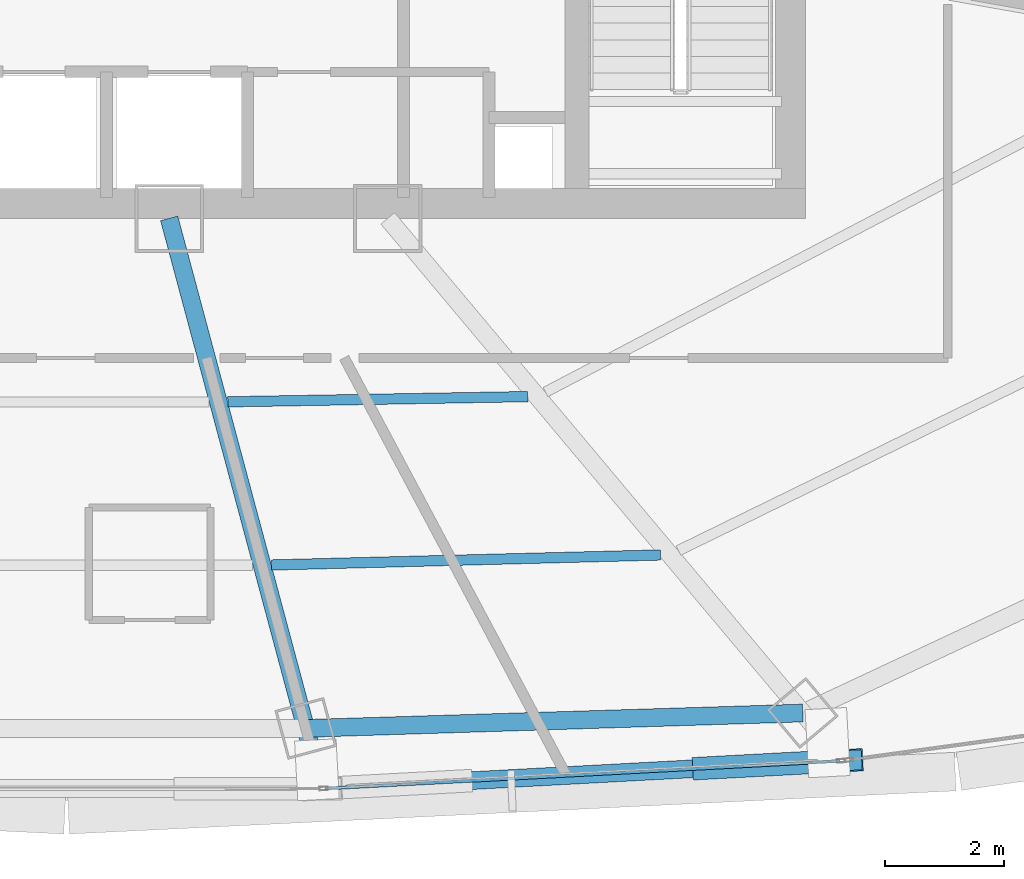
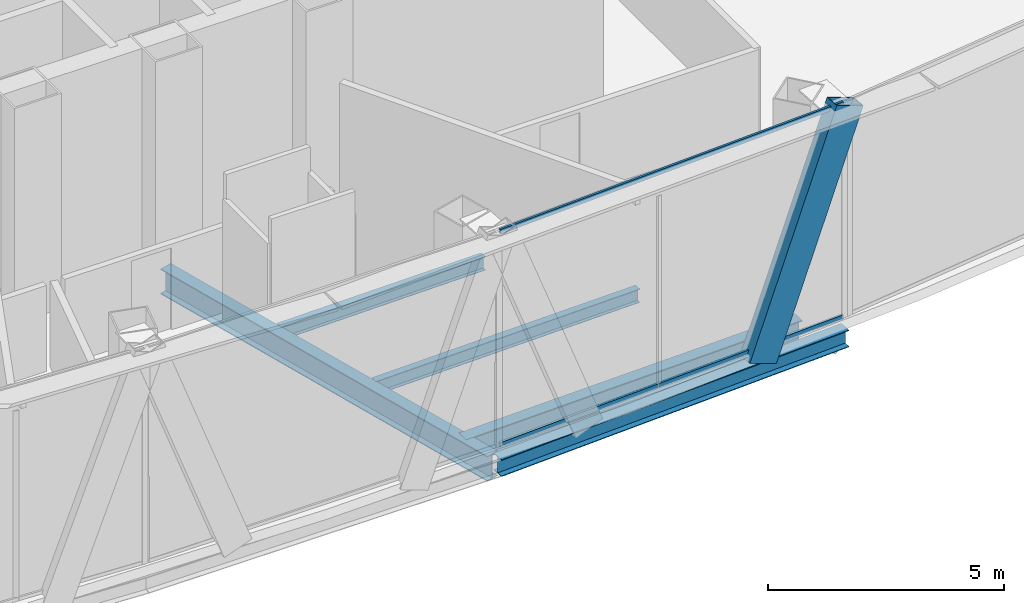
# One storey, part 11 of 38: 5 beams, 3 members, 1 element without a shape of its own.
"""IFC4 building model written with IfcOpenShell, lengths in metres."""

from ifc_helpers import new_model, si_unit, direction, frame, origin, origin_2d, place, context, subcontext, project, spatial, hollow_rectangle, i_section, extrude, source, transform, mapped, material, layer, layer_set, material_profile, profile_set, type_object, element, aggregate, save


model = new_model("IFC4")

# Units and contexts
model_context = context("Model", 3, precision=1e-05, world=origin(), true_north=direction((0.0, 1.0)))
body_context = subcontext(model_context, "Body", "Model", "MODEL_VIEW")
ifc_project = project(units=[si_unit("LENGTHUNIT", "METRE"), si_unit("AREAUNIT", "SQUARE_METRE"), si_unit("VOLUMEUNIT", "CUBIC_METRE"), si_unit("PLANEANGLEUNIT", "RADIAN"), si_unit("MASSUNIT", "GRAM", prefix="KILO"), si_unit("THERMODYNAMICTEMPERATUREUNIT", "KELVIN"), si_unit("POWERUNIT", "WATT")], contexts=[model_context])

# Site, building, storey
site_placement = place(None, origin())
site = spatial("IfcSite", under=ifc_project, at=site_placement, CompositionType="ELEMENT")
building_placement = place(site_placement, origin())
building = spatial("IfcBuilding", under=site, at=building_placement, Name="Yunzhuo Pagoda Commons", CompositionType="ELEMENT")
storey_placement = place(building_placement, frame((0.0, 0.0, 266.909912109375)))
storey = spatial("IfcBuildingStorey", under=building, at=storey_placement, Name="L67", CompositionType="ELEMENT", Elevation=266.909912109375)

# Beams
ifc_material_1 = material(Name="Structural steel Q355B", Category="steel")
ifc_material_profile_1 = material_profile(ifc_material_1, i_section(OverallWidth=0.300048828125, OverallDepth=0.64990234375, WebThickness=0.012939453125, FlangeThickness=0.02197265625, at=origin_2d()), Name="Structural steel Q355B")
ifc_profile_set_1 = profile_set([ifc_material_profile_1], Name="Structural steel Q355B")
beam_type_1 = type_object("IfcBeamType", Name="B-RG2 Beam HN 650x300x13x22", PredefinedType="BEAM", material=ifc_profile_set_1)
shared_shape_1 = source(origin(), body_context, "Body", "SweptSolid", [
    extrude(i_section(OverallWidth=0.300048828125, OverallDepth=0.64990234375, WebThickness=0.012939453125, FlangeThickness=0.02197265625, at=origin_2d()), origin(), (0.0, 0.0, 1.0), 8.37939453125),
])
beam_1_placement = place(storey_placement, frame((52.031494140625, 18.654052734375, -0.5849609375), z_axis=(0.999519382133, 0.031000076447, 0.0), x_axis=(-0.031000076447, 0.999519382133, 0.0)))
element("IfcBeam", 1, at=beam_1_placement, inside=storey, type_object=beam_type_1, Name="L67 column-ring beam 3", PredefinedType="BEAM", context=body_context, shape_type="MappedRepresentation", body=[
    mapped(shared_shape_1, transform((0.0, 0.0, 0.0), scale=1.0)),
])
ifc_material_profile_2 = material_profile(ifc_material_1, i_section(OverallWidth=0.175048828125, OverallDepth=0.35009765625, WebThickness=0.007080078125, FlangeThickness=0.010986328125, at=origin_2d()), Name="Structural steel Q355B")
ifc_profile_set_2 = profile_set([ifc_material_profile_2], Name="Structural steel Q355B")
beam_type_2 = type_object("IfcBeamType", Name="B-JS2 Joist HN 350x175x7x11", PredefinedType="JOIST", material=ifc_profile_set_2)
shared_shape_2 = source(origin(), body_context, "Body", "SweptSolid", [
    extrude(i_section(OverallWidth=0.175048828125, OverallDepth=0.35009765625, WebThickness=0.007080078125, FlangeThickness=0.010986328125, at=origin_2d()), origin(), (0.0, 0.0, 1.0), 5.0556640625),
])
beam_2_placement = place(storey_placement, frame((50.716552734375, 24.158203125, -0.434814453125), z_axis=(0.999848878561, 0.017384477, 0.0), x_axis=(-0.017384477, 0.999848878561, 0.0)))
element("IfcBeam", 2, at=beam_2_placement, inside=storey, type_object=beam_type_2, Name="L67 composite ring joist 1.3", PredefinedType="JOIST", context=body_context, shape_type="MappedRepresentation", body=[
    mapped(shared_shape_2, transform((0.0, 0.0, 0.0), scale=1.0)),
])
shared_shape_3 = source(origin(), body_context, "Body", "SweptSolid", [
    extrude(i_section(OverallWidth=0.175048828125, OverallDepth=0.35009765625, WebThickness=0.007080078125, FlangeThickness=0.010986328125, at=origin_2d()), origin(), (0.0, 0.0, 1.0), 6.558349609375),
])
beam_3_placement = place(storey_placement, frame((51.45361328125, 21.40869140625, -0.434814453125), z_axis=(0.99966910323, 0.025723220017, 0.0), x_axis=(-0.025723220017, 0.99966910323, 0.0)))
element("IfcBeam", 3, at=beam_3_placement, inside=storey, type_object=beam_type_2, Name="L67 composite ring joist 2.3", PredefinedType="JOIST", context=body_context, shape_type="MappedRepresentation", body=[
    mapped(shared_shape_3, transform((0.0, 0.0, 0.0), scale=1.0)),
])
shared_shape_4 = source(origin(), body_context, "Body", "SweptSolid", [
    extrude(i_section(OverallWidth=0.300048828125, OverallDepth=0.64990234375, WebThickness=0.012939453125, FlangeThickness=0.02197265625, at=origin_2d()), origin(), (0.0, 0.0, 1.0), 9.794189453125),
])
beam_4_placement = place(storey_placement, frame((52.26318359375, 17.78955078125, -0.5849609375), z_axis=(-0.258795061761, 0.965932252287, 0.0), x_axis=(-0.965932252287, -0.258795061761, 0.0)))
element("IfcBeam", 4, at=beam_4_placement, inside=storey, type_object=beam_type_1, Name="L67 radial floor girder F1C3", PredefinedType="BEAM", context=body_context, shape_type="MappedRepresentation", body=[
    mapped(shared_shape_4, transform((0.0, 0.0, 0.0), scale=1.0)),
])
ifc_material_profile_3 = material_profile(ifc_material_1, i_section(OverallWidth=0.300048828125, OverallDepth=0.43994140625, WebThickness=0.010986328125, FlangeThickness=0.01806640625, at=origin_2d()), Name="Structural steel Q355B")
ifc_profile_set_3 = profile_set([ifc_material_profile_3], Name="Structural steel Q355B")
beam_type_3 = type_object("IfcBeamType", Name="B-SP2 Beam HM 440x300x11x18", PredefinedType="BEAM", material=ifc_profile_set_3)
shared_shape_5 = source(origin(), body_context, "Body", "SweptSolid", [
    extrude(i_section(OverallWidth=0.300048828125, OverallDepth=0.43994140625, WebThickness=0.010986328125, FlangeThickness=0.01806640625, at=origin_2d()), origin(), (0.0, 0.0, 1.0), 8.791259765625),
])
beam_5_placement = place(storey_placement, frame((52.30322265625, 17.6396484375, -0.47998046875), z_axis=(0.998571573919, 0.053430438518, 0.0), x_axis=(-0.053430438518, 0.998571573919, 0.0)))
element("IfcBeam", 5, at=beam_5_placement, inside=storey, type_object=beam_type_3, Name="L67 facade edge spandrel beam F1.3", PredefinedType="BEAM", context=body_context, shape_type="MappedRepresentation", body=[
    mapped(shared_shape_5, transform((0.0, 0.0, 0.0), scale=1.0)),
])

# Member
ifc_material_profile_4 = material_profile(ifc_material_1, hollow_rectangle(XDim=0.3798828125, YDim=0.719970703125, WallThickness=0.02001953125, at=origin_2d()), Name="Structural steel Q355B")
ifc_profile_set_4 = profile_set([ifc_material_profile_4], Name="Structural steel Q355B")
member_type_1 = type_object("IfcMemberType", Name="M-DL3 Brace BOX 720x380x20", PredefinedType="BRACE", material=ifc_profile_set_4)
shared_shape_6 = source(origin(), body_context, "Body", "SweptSolid", [
    extrude(hollow_rectangle(XDim=0.3798828125, YDim=0.719970703125, WallThickness=0.02001953125, at=origin_2d()), origin(), (0.0, 0.0, 1.0), 6.230712890625),
])
member_1_placement = place(storey_placement, frame((58.887451171875, 17.991943359375, -0.260009765625), z_axis=(0.35221590061, 0.018847018377, 0.935728993489), x_axis=(-0.053433402023, 0.998571415347, 0.0)))
element("IfcMember", 6, at=member_1_placement, inside=storey, type_object=member_type_1, Name="L67 facade diamond brace F1.3R", PredefinedType="BRACE", context=body_context, shape_type="MappedRepresentation", body=[
    mapped(shared_shape_6, transform((0.0, 0.0, 0.0), scale=1.0)),
])

# Curtain wall, members
ifc_material_2 = material(Name="Anodized aluminium 6063-T6", Category="aluminium")
ifc_layer = layer(ifc_material_2, 0.139892578125)
ifc_layer_set = layer_set([ifc_layer], Name="Anodized aluminium 6063-T6")
curtain_wall_type = type_object("IfcCurtainWallType", Name="CW-HI High-Zone Ribbon Curtain Wall", PredefinedType="NOTDEFINED", material=ifc_layer_set)
curtain_wall_placement = place(storey_placement, origin())
curtain_wall = element("IfcCurtainWall", 7, at=curtain_wall_placement, inside=storey, type_object=curtain_wall_type, Name="L67 curtain wall CW-L67-F1B4", PredefinedType="NOTDEFINED")
ifc_material_profile_5 = material_profile(ifc_material_2, hollow_rectangle(XDim=0.054931640625, YDim=0.1201171875, WallThickness=0.00341796875, at=origin_2d()), Name="Anodized aluminium 6063-T6")
ifc_profile_set_5 = profile_set([ifc_material_profile_5], Name="Anodized aluminium 6063-T6")
member_type_2 = type_object("IfcMemberType", Name="CW-HI-T Transom RHS 120x55x3.5", PredefinedType="USERDEFINED", material=ifc_profile_set_5)
shared_shape_7 = source(origin(), body_context, "Body", "SweptSolid", [
    extrude(hollow_rectangle(XDim=0.054931640625, YDim=0.1201171875, WallThickness=0.00341796875, at=origin_2d()), origin(), (0.0, 0.0, 1.0), 8.67138671875),
])
member_2_placement = place(storey_placement, frame((52.36328125, 17.642822265625, 0.027587890625), z_axis=(0.998571165488, 0.053438071224, 0.0), x_axis=(-0.053438071224, 0.998571165488, 0.0)))
member_2 = element("IfcMember", 8, at=member_2_placement, type_object=member_type_2, Name="CW transom 1.1", ObjectType="TRANSOM", PredefinedType="USERDEFINED", context=body_context, shape_type="MappedRepresentation", body=[
    mapped(shared_shape_7, transform((0.0, 0.0, 0.0), scale=1.0)),
])
member_3_placement = place(storey_placement, frame((52.36328125, 17.642822265625, 5.54248046875), z_axis=(0.998571165488, 0.053438071224, 0.0), x_axis=(-0.053438071224, 0.998571165488, 0.0)))
member_3 = element("IfcMember", 9, at=member_3_placement, type_object=member_type_2, Name="CW transom 1.2", ObjectType="TRANSOM", PredefinedType="USERDEFINED", context=body_context, shape_type="MappedRepresentation", body=[
    mapped(shared_shape_7, transform((0.0, 0.0, 0.0), scale=1.0)),
])
aggregate(curtain_wall, [member_2, member_3])

save(model, "model.ifc")
